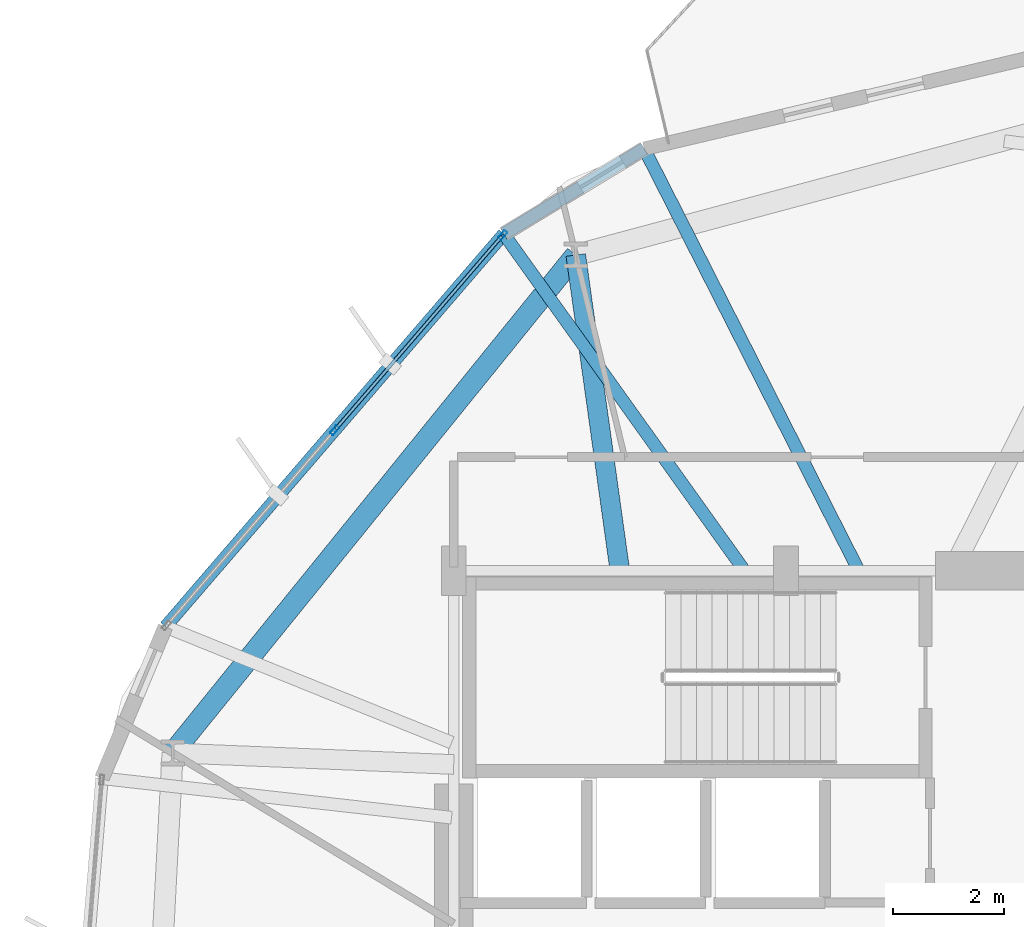
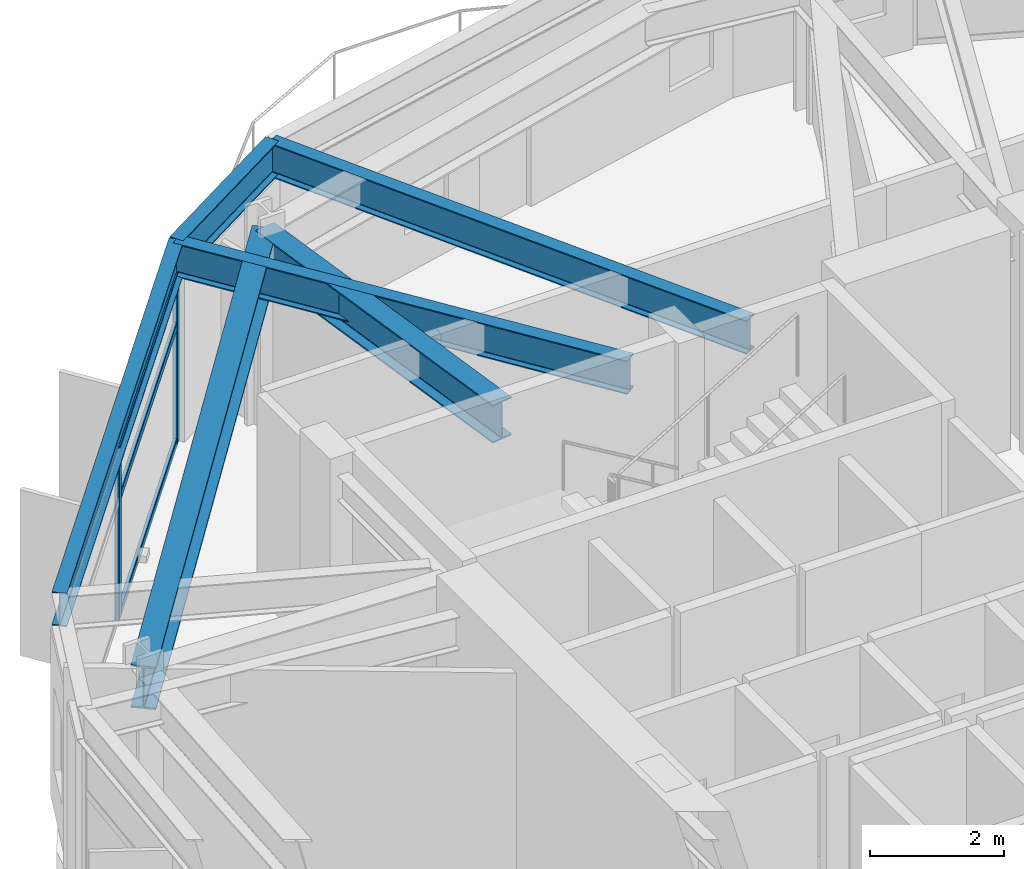
# One storey, part 11 of 21: 6 beams, 5 members, 1 element without a shape of its own.
"""IFC4 building model written with IfcOpenShell, lengths in metres."""

from ifc_helpers import new_model, si_unit, direction, frame, origin, origin_2d, place, context, subcontext, project, spatial, hollow_rectangle, i_section, extrude, material, layer, layer_set, material_profile, profile_set, type_object, element, aggregate, save


model = new_model("IFC4")

# Units and contexts
model_context = context("Model", 3, precision=1e-05, world=origin(), true_north=direction((0.0, 1.0)))
body_context = subcontext(model_context, "Body", "Model", "MODEL_VIEW")
ifc_project = project(units=[si_unit("LENGTHUNIT", "METRE"), si_unit("AREAUNIT", "SQUARE_METRE"), si_unit("VOLUMEUNIT", "CUBIC_METRE"), si_unit("PLANEANGLEUNIT", "RADIAN"), si_unit("MASSUNIT", "GRAM", prefix="KILO")], contexts=[model_context])

# Site, building, storey
site_placement = place(None, origin())
site = spatial("IfcSite", under=ifc_project, at=site_placement, CompositionType="ELEMENT")
building_placement = place(site_placement, origin())
building = spatial("IfcBuilding", under=site, at=building_placement, Name="Soratama Intermodal Tower", CompositionType="ELEMENT")
storey_placement = place(building_placement, frame((0.0, 0.0, 78.60009765625)))
storey = spatial("IfcBuildingStorey", under=building, at=storey_placement, Name="L18", CompositionType="ELEMENT", Elevation=78.60009765625)

# Beams
ifc_material_1 = material(Name="Structural steel ASTM A992 Grade 50", Category="steel")
ifc_material_profile_1 = material_profile(ifc_material_1, i_section(OverallWidth=0.35498046875, OverallDepth=0.695068359375, WebThickness=0.015380859375, FlangeThickness=0.02490234375, FilletRadius=0.01611328125, at=origin_2d()), Name="W27X146")
ifc_profile_set_1 = profile_set([ifc_material_profile_1], Name="Structural steel ASTM A992 Grade 50")
beam_type_1 = type_object("IfcBeamType", Name="BM-RING-W27X146", PredefinedType="BEAM", material=ifc_profile_set_1)
beam_1_placement = place(storey_placement, frame((35.60009765625, 35.0, 3.3125), z_axis=(-0.138332473065, 0.990385847484, 0.0), x_axis=(-0.990385847484, -0.138332473065, 0.0)))
element("IfcBeam", 1, at=beam_1_placement, inside=storey, type_object=beam_type_1, Name="BM-L18-RAD-04", PredefinedType="BEAM", context=body_context, shape_type="SweptSolid", body=[
    extrude(i_section(OverallWidth=0.35498046875, OverallDepth=0.695068359375, WebThickness=0.015380859375, FlangeThickness=0.02490234375, FilletRadius=0.01611328125, at=origin_2d()), origin(), (0.0, 0.0, 1.0), 5.75537109375),
])
ifc_material_2 = material(Name="Structural steel ASTM A992 Grade 50", Category="steel")
ifc_material_profile_2 = material_profile(ifc_material_2, i_section(OverallWidth=0.382080078125, OverallDepth=0.779052734375, WebThickness=0.01806640625, FlangeThickness=0.030029296875, FilletRadius=0.01806640625, at=origin_2d()), Name="W30X191")
ifc_profile_set_2 = profile_set([ifc_material_profile_2], Name="Structural steel ASTM A992 Grade 50")
beam_type_2 = type_object("IfcBeamType", Name="BM-RING-W30X191", PredefinedType="BEAM", material=ifc_profile_set_2)
beam_2_placement = place(storey_placement, frame((34.803955078125, 40.699951171875, 3.2705078125), z_axis=(-0.629334198857, -0.777134779912, 0.0), x_axis=(0.777134779912, -0.629334198857, 0.0)))
element("IfcBeam", 2, at=beam_2_placement, inside=storey, type_object=beam_type_2, Name="BM-L18-RING-04", PredefinedType="BEAM", context=body_context, shape_type="SweptSolid", body=[
    extrude(i_section(OverallWidth=0.382080078125, OverallDepth=0.779052734375, WebThickness=0.01806640625, FlangeThickness=0.030029296875, FilletRadius=0.01806640625, at=origin_2d()), origin(), (0.0, 0.0, 1.0), 11.5693359375),
])
ifc_material_3 = material(Name="Structural steel ASTM A992 Grade 50", Category="steel")
ifc_material_profile_3 = material_profile(ifc_material_3, i_section(OverallWidth=0.22900390625, OverallDepth=0.612060546875, WebThickness=0.011962890625, FlangeThickness=0.01953125, FilletRadius=0.012939453125, at=origin_2d()), Name="W24X84")
ifc_profile_set_3 = profile_set([ifc_material_profile_3], Name="Structural steel ASTM A992 Grade 50")
beam_type_3 = type_object("IfcBeamType", Name="BM-SPN-W24X84", PredefinedType="SPANDREL", material=ifc_profile_set_3)
beam_3_placement = place(storey_placement, frame((36.0390625, 42.6201171875, 3.35400390625), z_axis=(-0.854897020452, -0.518797729778, 0.0), x_axis=(0.518797729778, -0.854897020452, 0.0)))
element("IfcBeam", 3, at=beam_3_placement, inside=storey, type_object=beam_type_3, Name="BS-L18-CRN03", PredefinedType="SPANDREL", context=body_context, shape_type="SweptSolid", body=[
    extrude(i_section(OverallWidth=0.22900390625, OverallDepth=0.612060546875, WebThickness=0.011962890625, FlangeThickness=0.01953125, FilletRadius=0.012939453125, at=origin_2d()), origin(), (0.0, 0.0, 1.0), 2.966552734375),
])
beam_4_placement = place(storey_placement, frame((33.5029296875, 41.0810546875, 3.35400390625), z_axis=(-0.652645004589, -0.757663842337, 0.0), x_axis=(0.757663842337, -0.652645004589, 0.0)))
element("IfcBeam", 4, at=beam_4_placement, inside=storey, type_object=beam_type_3, Name="BS-L18-F04", PredefinedType="SPANDREL", context=body_context, shape_type="SweptSolid", body=[
    extrude(i_section(OverallWidth=0.22900390625, OverallDepth=0.612060546875, WebThickness=0.011962890625, FlangeThickness=0.01953125, FilletRadius=0.012939453125, at=origin_2d()), origin(), (0.0, 0.0, 1.0), 9.36181640625),
])
ifc_material_4 = material(Name="Structural steel ASTM A992 Grade 50", Category="steel")
ifc_material_profile_4 = material_profile(ifc_material_4, i_section(OverallWidth=0.22900390625, OverallDepth=0.612060546875, WebThickness=0.011962890625, FlangeThickness=0.01953125, FilletRadius=0.012939453125, at=origin_2d()), Name="W24X84")
ifc_profile_set_4 = profile_set([ifc_material_profile_4], Name="Structural steel ASTM A992 Grade 50")
beam_type_4 = type_object("IfcBeamType", Name="BM-TIE-W24X84", PredefinedType="BEAM", material=ifc_profile_set_4)
beam_5_placement = place(storey_placement, frame((39.89599609375, 35.035888671875, 3.35400390625), z_axis=(-0.453297683139, 0.891359192728, 0.0), x_axis=(-0.891359192728, -0.453297683139, 0.0)))
element("IfcBeam", 5, at=beam_5_placement, inside=storey, type_object=beam_type_4, Name="BM-L18-TIE1-03", PredefinedType="BEAM", context=body_context, shape_type="SweptSolid", body=[
    extrude(i_section(OverallWidth=0.22900390625, OverallDepth=0.612060546875, WebThickness=0.011962890625, FlangeThickness=0.01953125, FilletRadius=0.012939453125, at=origin_2d()), origin(), (0.0, 0.0, 1.0), 8.508544921875),
])
beam_6_placement = place(storey_placement, frame((37.826904296875, 35.032958984375, 3.35400390625), z_axis=(-0.581586041243, 0.813484896376, 0.0), x_axis=(-0.813484896376, -0.581586041243, 0.0)))
element("IfcBeam", 6, at=beam_6_placement, inside=storey, type_object=beam_type_4, Name="BM-L18-TIE0-04", PredefinedType="BEAM", context=body_context, shape_type="SweptSolid", body=[
    extrude(i_section(OverallWidth=0.22900390625, OverallDepth=0.612060546875, WebThickness=0.011962890625, FlangeThickness=0.01953125, FilletRadius=0.012939453125, at=origin_2d()), origin(), (0.0, 0.0, 1.0), 7.434814453125),
])

# Curtain wall, members
ifc_material_5 = material(Name="Double-glazed aluminium curtain wall", Category="aluminium")
ifc_layer = layer(ifc_material_5, 0.159912109375)
ifc_layer_set = layer_set([ifc_layer], Name="Double-glazed aluminium curtain wall")
curtain_wall_type = type_object("IfcCurtainWallType", Name="CW-SYS-2", PredefinedType="NOTDEFINED", material=ifc_layer_set)
curtain_wall_placement = place(storey_placement, origin())
curtain_wall = element("IfcCurtainWall", 7, at=curtain_wall_placement, inside=storey, type_object=curtain_wall_type, Name="L18 Faceted Curtain Wall F04", PredefinedType="NOTDEFINED")
ifc_material_6 = material(Name="Anodised aluminium AA 6063-T6", Category="aluminium")
ifc_material_profile_5 = material_profile(ifc_material_6, hollow_rectangle(XDim=0.074951171875, YDim=0.179931640625, WallThickness=0.006103515625, InnerFilletRadius=0.006103515625, OuterFilletRadius=0.011962890625, at=origin_2d()), Name="CWM180X75X6")
ifc_profile_set_5 = profile_set([ifc_material_profile_5], Name="Anodised aluminium AA 6063-T6")
member_type_1 = type_object("IfcMemberType", Name="MT-CWM-2", PredefinedType="MULLION", material=ifc_profile_set_5)
member_1_placement = place(storey_placement, frame((33.4833984375, 41.057861328125, 0.0), z_axis=(0.0, 0.0, 1.0), x_axis=(0.757677681537, -0.652628938142, 0.0)))
member_1 = element("IfcMember", 8, at=member_1_placement, type_object=member_type_1, Name="CW-2 mullion 1", PredefinedType="MULLION", context=body_context, shape_type="SweptSolid", body=[
    extrude(hollow_rectangle(XDim=0.074951171875, YDim=0.179931640625, WallThickness=0.006103515625, InnerFilletRadius=0.006103515625, OuterFilletRadius=0.011962890625, at=origin_2d()), origin(), (0.0, 0.0, 1.0), 3.038818359375),
])
member_2_placement = place(storey_placement, frame((30.4482421875, 37.5341796875, 0.0), z_axis=(0.0, 0.0, 1.0), x_axis=(0.757677681537, -0.652628938142, 0.0)))
member_2 = element("IfcMember", 9, at=member_2_placement, type_object=member_type_1, Name="CW-2 mullion 2", PredefinedType="MULLION", context=body_context, shape_type="SweptSolid", body=[
    extrude(hollow_rectangle(XDim=0.074951171875, YDim=0.179931640625, WallThickness=0.006103515625, InnerFilletRadius=0.006103515625, OuterFilletRadius=0.011962890625, at=origin_2d()), origin(), (0.0, 0.0, 1.0), 3.038818359375),
])
ifc_material_7 = material(Name="Anodised aluminium AA 6063-T6", Category="aluminium")
ifc_material_profile_6 = material_profile(ifc_material_7, hollow_rectangle(XDim=0.06494140625, YDim=0.14990234375, WallThickness=0.0048828125, InnerFilletRadius=0.0048828125, OuterFilletRadius=0.010009765625, at=origin_2d()), Name="CWT150X65X5")
ifc_profile_set_6 = profile_set([ifc_material_profile_6], Name="Anodised aluminium AA 6063-T6")
member_type_2 = type_object("IfcMemberType", Name="TT-CWT-1", PredefinedType="USERDEFINED", material=ifc_profile_set_6)
member_3_placement = place(storey_placement, frame((33.463623046875, 41.03515625, 0.02978515625), z_axis=(-0.652607111761, -0.757696481237, 0.0), x_axis=(0.757696481237, -0.652607111761, 0.0)))
member_3 = element("IfcMember", 10, at=member_3_placement, type_object=member_type_2, Name="CW-2 transom 1.1", ObjectType="TRANSOM", PredefinedType="USERDEFINED", context=body_context, shape_type="SweptSolid", body=[
    extrude(hollow_rectangle(XDim=0.06494140625, YDim=0.14990234375, WallThickness=0.0048828125, InnerFilletRadius=0.0048828125, OuterFilletRadius=0.010009765625, at=origin_2d()), origin(), (0.0, 0.0, 1.0), 4.590576171875),
])
member_4_placement = place(storey_placement, frame((33.463623046875, 41.03515625, 2.14990234375), z_axis=(-0.652607111761, -0.757696481237, 0.0), x_axis=(0.757696481237, -0.652607111761, 0.0)))
member_4 = element("IfcMember", 11, at=member_4_placement, type_object=member_type_2, Name="CW-2 transom 1.2", ObjectType="TRANSOM", PredefinedType="USERDEFINED", context=body_context, shape_type="SweptSolid", body=[
    extrude(hollow_rectangle(XDim=0.06494140625, YDim=0.14990234375, WallThickness=0.0048828125, InnerFilletRadius=0.0048828125, OuterFilletRadius=0.010009765625, at=origin_2d()), origin(), (0.0, 0.0, 1.0), 4.590576171875),
])
member_5_placement = place(storey_placement, frame((33.463623046875, 41.03515625, 3.0087890625), z_axis=(-0.652607111761, -0.757696481237, 0.0), x_axis=(0.757696481237, -0.652607111761, 0.0)))
member_5 = element("IfcMember", 12, at=member_5_placement, type_object=member_type_2, Name="CW-2 transom 1.3", ObjectType="TRANSOM", PredefinedType="USERDEFINED", context=body_context, shape_type="SweptSolid", body=[
    extrude(hollow_rectangle(XDim=0.06494140625, YDim=0.14990234375, WallThickness=0.0048828125, InnerFilletRadius=0.0048828125, OuterFilletRadius=0.010009765625, at=origin_2d()), origin(), (0.0, 0.0, 1.0), 4.590576171875),
])
aggregate(curtain_wall, [member_1, member_2, member_3, member_4, member_5])

save(model, "model.ifc")
